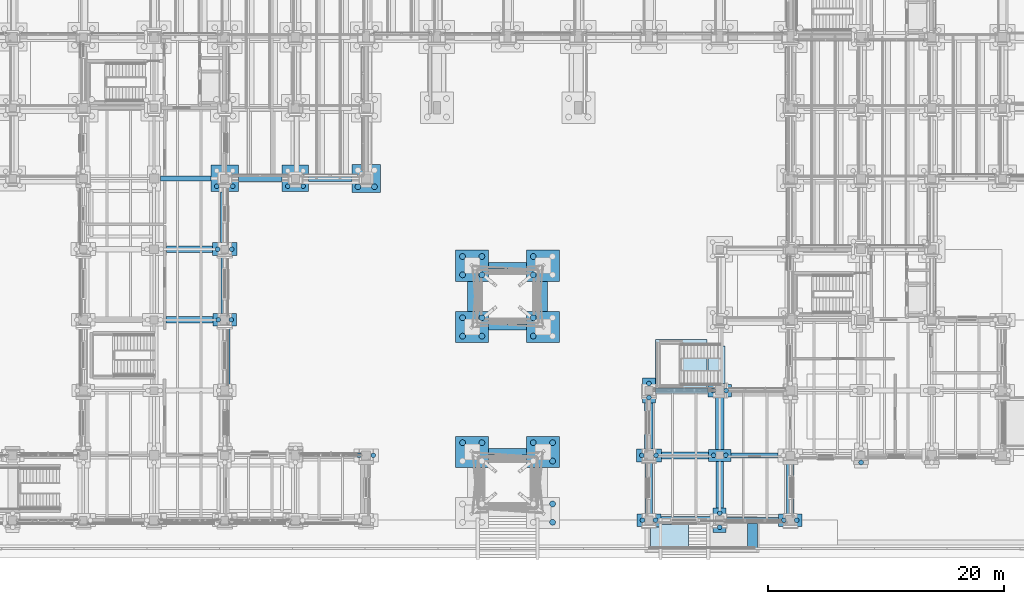
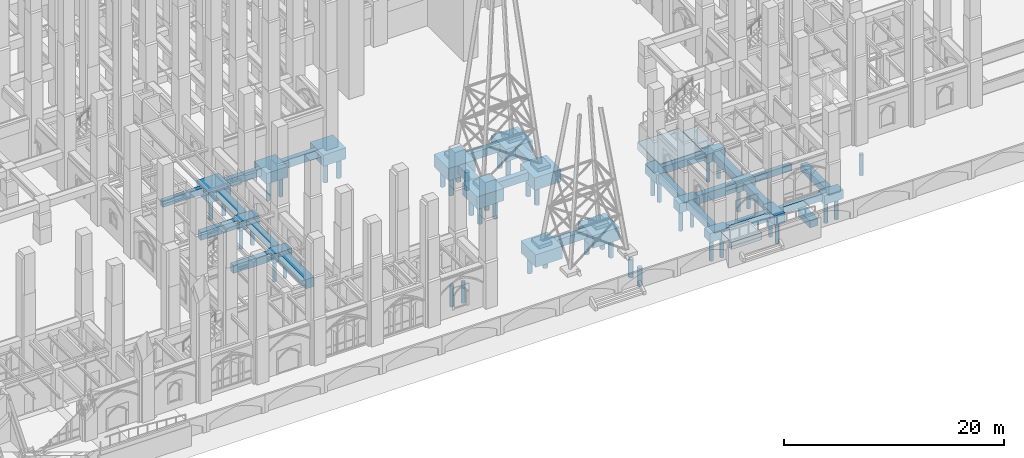
# One storey, part 7 of 135: 46 piles, 45 footings.
"""IFC4 building model written with IfcOpenShell, lengths in metres."""

from ifc_helpers import new_model, si_unit, direction, frame, origin, origin_2d, place, context, subcontext, project, spatial, polyline, rectangle, circle, outline, extrude, material, material_profile, profile_set, type_object, element, save


model = new_model("IFC4")

# Units and contexts
model_context = context("Model", 3, precision=1e-05, world=origin(), true_north=direction((0.0, 1.0)))
body_context = subcontext(model_context, "Body", "Model", "MODEL_VIEW")
ifc_project = project(units=[si_unit("LENGTHUNIT", "METRE"), si_unit("AREAUNIT", "SQUARE_METRE"), si_unit("VOLUMEUNIT", "CUBIC_METRE"), si_unit("PLANEANGLEUNIT", "RADIAN"), si_unit("MASSUNIT", "GRAM", prefix="KILO")], contexts=[model_context])

# Site, building, storey
site_placement = place(None, origin())
site = spatial("IfcSite", under=ifc_project, at=site_placement, CompositionType="ELEMENT")
building_placement = place(site_placement, origin())
building = spatial("IfcBuilding", under=site, at=building_placement, Name="Cumevento Cable Car Station", CompositionType="ELEMENT")
storey_placement = place(building_placement, origin())
storey = spatial("IfcBuildingStorey", under=building, at=storey_placement, Name="L01", CompositionType="ELEMENT", Elevation=0.0)

# Footings
ifc_material_1 = material(Name="Concrete C40/50", Category="concrete")
footing_type_1 = type_object("IfcFootingType", Name="Ground Beam GB-01 420x720", PredefinedType="FOOTING_BEAM", material=ifc_material_1)
footing_1_placement = place(storey_placement, frame((0.0, 0.0, -0.719970703125)))
element("IfcFooting", 1, at=footing_1_placement, inside=storey, type_object=footing_type_1, Name="Ground Tie Beam GB-01 #12", PredefinedType="FOOTING_BEAM", context=body_context, shape_type="SweptSolid", body=[
    extrude(outline(polyline([(112.552001953125, 3.7900390625), (116.998046875, 3.7900390625), (116.998046875, 4.2099609375), (112.552001953125, 4.2099609375), (112.552001953125, 3.7900390625)])), origin(), (0.0, 0.0, 1.0), 0.719970703125),
])
footing_2_placement = place(storey_placement, frame((0.0, 0.0, -0.719970703125)))
element("IfcFooting", 2, at=footing_2_placement, inside=storey, type_object=footing_type_1, Name="Ground Tie Beam GB-01 #24", PredefinedType="FOOTING_BEAM", context=body_context, shape_type="SweptSolid", body=[
    extrude(outline(polyline([(112.951904296875, 9.2900390625), (116.947998046875, 9.2900390625), (116.947998046875, 9.7099609375), (112.951904296875, 9.7099609375), (112.951904296875, 9.2900390625)])), origin(), (0.0, 0.0, 1.0), 0.719970703125),
])
footing_3_placement = place(storey_placement, frame((0.0, 0.0, -0.719970703125)))
element("IfcFooting", 3, at=footing_3_placement, inside=storey, type_object=footing_type_1, Name="Ground Tie Beam GB-01 #60", PredefinedType="FOOTING_BEAM", context=body_context, shape_type="SweptSolid", body=[
    extrude(outline(polyline([(64.552001953125, 32.7900390625), (68.822998046875, 32.7900390625), (68.822998046875, 33.2099609375), (64.552001953125, 33.2099609375), (64.552001953125, 32.7900390625)])), origin(), (0.0, 0.0, 1.0), 0.719970703125),
])
ifc_material_2 = material(Name="Concrete C40/50", Category="concrete")
footing_type_2 = type_object("IfcFootingType", Name="Ground Beam GB-02 480x800", PredefinedType="FOOTING_BEAM", material=ifc_material_2)
footing_4_placement = place(storey_placement, frame((0.0, 0.0, -0.800048828125)))
element("IfcFooting", 4, at=footing_4_placement, inside=storey, type_object=footing_type_2, Name="Ground Tie Beam GB-02 #37", PredefinedType="FOOTING_BEAM", context=body_context, shape_type="SweptSolid", body=[
    extrude(outline(polyline([(106.552001953125, 14.760009765625), (110.998046875, 14.760009765625), (110.998046875, 15.239990234375), (106.552001953125, 15.239990234375), (106.552001953125, 14.760009765625)])), origin(), (0.0, 0.0, 1.0), 0.800048828125),
])
footing_5_placement = place(storey_placement, frame((0.0, 0.0, -0.800048828125)))
element("IfcFooting", 5, at=footing_5_placement, inside=storey, type_object=footing_type_2, Name="Ground Tie Beam GB-02 #61", PredefinedType="FOOTING_BEAM", context=body_context, shape_type="SweptSolid", body=[
    extrude(outline(polyline([(71.177001953125, 32.760009765625), (74.873046875, 32.760009765625), (74.873046875, 33.239990234375), (71.177001953125, 33.239990234375), (71.177001953125, 32.760009765625)])), origin(), (0.0, 0.0, 1.0), 0.800048828125),
])
ifc_material_3 = material(Name="Concrete C40/50", Category="concrete")
footing_type_3 = type_object("IfcFootingType", Name="Ground Beam GB-03 540x880", PredefinedType="FOOTING_BEAM", material=ifc_material_3)
footing_6_placement = place(storey_placement, frame((0.0, 0.0, -0.8798828125)))
element("IfcFooting", 6, at=footing_6_placement, inside=storey, type_object=footing_type_3, Name="Ground Tie Beam GB-03 #46", PredefinedType="FOOTING_BEAM", context=body_context, shape_type="SweptSolid", body=[
    extrude(outline(polyline([(65.001953125, 20.72998046875), (68.998046875, 20.72998046875), (68.998046875, 21.27001953125), (65.001953125, 21.27001953125), (65.001953125, 20.72998046875)])), origin(), (0.0, 0.0, 1.0), 0.8798828125),
])
footing_7_placement = place(storey_placement, frame((0.0, 0.0, -0.8798828125)))
element("IfcFooting", 7, at=footing_7_placement, inside=storey, type_object=footing_type_3, Name="Ground Tie Beam GB-03 #54", PredefinedType="FOOTING_BEAM", context=body_context, shape_type="SweptSolid", body=[
    extrude(outline(polyline([(65.052001953125, 26.72998046875), (68.947998046875, 26.72998046875), (68.947998046875, 27.27001953125), (65.052001953125, 27.27001953125), (65.052001953125, 26.72998046875)])), origin(), (0.0, 0.0, 1.0), 0.8798828125),
])
footing_8_placement = place(storey_placement, frame((0.0, 0.0, -0.8798828125)))
element("IfcFooting", 8, at=footing_8_placement, inside=storey, type_object=footing_type_3, Name="Ground Tie Beam GB-03 #62", PredefinedType="FOOTING_BEAM", context=body_context, shape_type="SweptSolid", body=[
    extrude(outline(polyline([(77.126953125, 32.72998046875), (80.798095703125, 32.72998046875), (80.798095703125, 33.27001953125), (77.126953125, 33.27001953125), (77.126953125, 32.72998046875)])), origin(), (0.0, 0.0, 1.0), 0.8798828125),
])
footing_9_placement = place(storey_placement, frame((0.0, 0.0, -0.8798828125)))
element("IfcFooting", 9, at=footing_9_placement, inside=storey, type_object=footing_type_3, Name="PYLON_S01 Tie Beam GB-03 #5", PredefinedType="FOOTING_BEAM", context=body_context, shape_type="SweptSolid", body=[
    extrude(outline(polyline([(92.402099609375, 20.1298828125), (95.597900390625, 20.1298828125), (95.597900390625, 20.669921875), (92.402099609375, 20.669921875), (92.402099609375, 20.1298828125)])), origin(), (0.0, 0.0, 1.0), 0.8798828125),
])
footing_10_placement = place(storey_placement, frame((0.0, 0.0, -0.8798828125)))
element("IfcFooting", 10, at=footing_10_placement, inside=storey, type_object=footing_type_3, Name="PYLON_S01 Tie Beam GB-03 #6", PredefinedType="FOOTING_BEAM", context=body_context, shape_type="SweptSolid", body=[
    extrude(outline(polyline([(92.402099609375, 25.330078125), (95.597900390625, 25.330078125), (95.597900390625, 25.8701171875), (92.402099609375, 25.8701171875), (92.402099609375, 25.330078125)])), origin(), (0.0, 0.0, 1.0), 0.8798828125),
])
footing_11_placement = place(storey_placement, frame((0.0, 0.0, -0.8798828125)))
element("IfcFooting", 11, at=footing_11_placement, inside=storey, type_object=footing_type_3, Name="PYLON_S02 Tie Beam GB-03 #10", PredefinedType="FOOTING_BEAM", context=body_context, shape_type="SweptSolid", body=[
    extrude(outline(polyline([(92.402099609375, 9.530029296875), (95.597900390625, 9.530029296875), (95.597900390625, 10.070068359375), (92.402099609375, 10.070068359375), (92.402099609375, 9.530029296875)])), origin(), (0.0, 0.0, 1.0), 0.8798828125),
])
ifc_material_4 = material(Name="Concrete C40/50", Category="concrete")
footing_type_4 = type_object("IfcFootingType", Name="Ground Beam GB-04 600x960", PredefinedType="FOOTING_BEAM", material=ifc_material_4)
footing_12_placement = place(storey_placement, frame((0.0, 0.0, -0.9599609375)))
element("IfcFooting", 12, at=footing_12_placement, inside=storey, type_object=footing_type_4, Name="Ground Tie Beam GB-04 #11", PredefinedType="FOOTING_BEAM", context=body_context, shape_type="SweptSolid", body=[
    extrude(outline(polyline([(107.001953125, 3.699951171875), (111.447998046875, 3.699951171875), (111.447998046875, 4.300048828125), (107.001953125, 4.300048828125), (107.001953125, 3.699951171875)])), origin(), (0.0, 0.0, 1.0), 0.9599609375),
])
footing_13_placement = place(storey_placement, frame((0.0, 0.0, -0.9599609375)))
element("IfcFooting", 13, at=footing_13_placement, inside=storey, type_object=footing_type_4, Name="Ground Tie Beam GB-04 #23", PredefinedType="FOOTING_BEAM", context=body_context, shape_type="SweptSolid", body=[
    extrude(outline(polyline([(107.052001953125, 9.199951171875), (111.048095703125, 9.199951171875), (111.048095703125, 9.800048828125), (107.052001953125, 9.800048828125), (107.052001953125, 9.199951171875)])), origin(), (0.0, 0.0, 1.0), 0.9599609375),
])

# Piles
ifc_material_5 = material(Name="Concrete C40/50", Category="concrete")
ifc_material_profile_1 = material_profile(ifc_material_5, circle(Radius=0.199951171875, at=origin_2d()), Name="PILE-D400")
ifc_profile_set_1 = profile_set([ifc_material_profile_1], Name="Concrete C40/50")
pile_type_1 = type_object("IfcPileType", Name="PILE-BORED-400", PredefinedType="BORED", material=ifc_profile_set_1)
for number, where, z_axis, x_axis, name in (
    (14, (69.449951171875, 21.0, -1.0), (0.0, 0.0, -1.0), (1.0, 0.0, 0.0), "Bored Pile PL-400 #281"),
    (15, (70.550048828125, 21.0, -1.0), (0.0, 0.0, -1.0), (1.0, 0.0, 0.0), "Bored Pile PL-400 #282"),
):
    element("IfcPile", number, at=place(storey_placement, frame(where, z_axis=z_axis, x_axis=x_axis)), inside=storey, type_object=pile_type_1, Name=name, PredefinedType="BORED", context=body_context, shape_type="SweptSolid", body=[
        extrude(circle(Radius=0.199951171875, at=origin_2d()), origin(), (0.0, 0.0, 1.0), 2.39990234375),
    ])
for number, where, z_axis, x_axis, name in (
    (16, (69.39990234375, 27.0, -1.050048828125), (0.0, 0.0, -1.0), (1.0, 0.0, 0.0), "Bored Pile PL-400 #283"),
    (17, (70.60009765625, 27.0, -1.050048828125), (0.0, 0.0, -1.0), (1.0, 0.0, 0.0), "Bored Pile PL-400 #284"),
):
    element("IfcPile", number, at=place(storey_placement, frame(where, z_axis=z_axis, x_axis=x_axis)), inside=storey, type_object=pile_type_1, Name=name, PredefinedType="BORED", context=body_context, shape_type="SweptSolid", body=[
        extrude(circle(Radius=0.199951171875, at=origin_2d()), origin(), (0.0, 0.0, 1.0), 2.35009765625),
    ])
for number, where, z_axis, x_axis, name in (
    (18, (69.320068359375, 32.35009765625, -1.219970703125), (0.0, 0.0, -1.0), (1.0, 0.0, 0.0), "Bored Pile PL-400 #285"),
    (19, (70.679931640625, 32.35009765625, -1.219970703125), (0.0, 0.0, -1.0), (1.0, 0.0, 0.0), "Bored Pile PL-400 #286"),
):
    element("IfcPile", number, at=place(storey_placement, frame(where, z_axis=z_axis, x_axis=x_axis)), inside=storey, type_object=pile_type_1, Name=name, PredefinedType="BORED", context=body_context, shape_type="SweptSolid", body=[
        extrude(circle(Radius=0.199951171875, at=origin_2d()), origin(), (0.0, 0.0, 1.0), 2.179931640625),
    ])
for number, where, z_axis, x_axis, name in (
    (20, (75.35009765625, 32.35009765625, -1.199951171875), (0.0, 0.0, -1.0), (1.0, 0.0, 0.0), "Bored Pile PL-400 #317"),
    (21, (76.64990234375, 32.35009765625, -1.199951171875), (0.0, 0.0, -1.0), (1.0, 0.0, 0.0), "Bored Pile PL-400 #318"),
):
    element("IfcPile", number, at=place(storey_placement, frame(where, z_axis=z_axis, x_axis=x_axis)), inside=storey, type_object=pile_type_1, Name=name, PredefinedType="BORED", context=body_context, shape_type="SweptSolid", body=[
        extrude(circle(Radius=0.199951171875, at=origin_2d()), origin(), (0.0, 0.0, 1.0), 2.199951171875),
    ])
for number, where, z_axis, x_axis, name in (
    (22, (81.39990234375, 9.5, -1.050048828125), (0.0, 0.0, -1.0), (1.0, 0.0, 0.0), "Bored Pile PL-400 #339"),
    (23, (82.60009765625, 9.5, -1.050048828125), (0.0, 0.0, -1.0), (1.0, 0.0, 0.0), "Bored Pile PL-400 #340"),
):
    element("IfcPile", number, at=place(storey_placement, frame(where, z_axis=z_axis, x_axis=x_axis)), inside=storey, type_object=pile_type_1, Name=name, PredefinedType="BORED", context=body_context, shape_type="SweptSolid", body=[
        extrude(circle(Radius=0.199951171875, at=origin_2d()), origin(), (0.0, 0.0, 1.0), 2.35009765625),
    ])
for number, where, z_axis, x_axis, name in (
    (24, (105.449951171875, 4.0, -1.0), (0.0, 0.0, -1.0), (1.0, 0.0, 0.0), "Bored Pile PL-400 #397"),
    (25, (106.550048828125, 4.0, -1.0), (0.0, 0.0, -1.0), (1.0, 0.0, 0.0), "Bored Pile PL-400 #398"),
):
    element("IfcPile", number, at=place(storey_placement, frame(where, z_axis=z_axis, x_axis=x_axis)), inside=storey, type_object=pile_type_1, Name=name, PredefinedType="BORED", context=body_context, shape_type="SweptSolid", body=[
        extrude(circle(Radius=0.199951171875, at=origin_2d()), origin(), (0.0, 0.0, 1.0), 2.39990234375),
    ])
for number, where, z_axis, x_axis, name in (
    (26, (105.39990234375, 9.5, -1.050048828125), (0.0, 0.0, -1.0), (1.0, 0.0, 0.0), "Bored Pile PL-400 #399"),
    (27, (106.60009765625, 9.5, -1.050048828125), (0.0, 0.0, -1.0), (1.0, 0.0, 0.0), "Bored Pile PL-400 #400"),
    (28, (106.0, 14.39990234375, -1.050048828125), (0.0, 0.0, -1.0), (1.0, 0.0, 0.0), "Bored Pile PL-400 #401"),
    (29, (106.0, 15.60009765625, -1.050048828125), (0.0, 0.0, -1.0), (1.0, 0.0, 0.0), "Bored Pile PL-400 #402"),
    (30, (112.0, 3.39990234375, -1.050048828125), (0.0, 0.0, -1.0), (1.0, 0.0, 0.0), "Bored Pile PL-400 #415"),
    (31, (112.0, 4.60009765625, -1.050048828125), (0.0, 0.0, -1.0), (1.0, 0.0, 0.0), "Bored Pile PL-400 #416"),
):
    element("IfcPile", number, at=place(storey_placement, frame(where, z_axis=z_axis, x_axis=x_axis)), inside=storey, type_object=pile_type_1, Name=name, PredefinedType="BORED", context=body_context, shape_type="SweptSolid", body=[
        extrude(circle(Radius=0.199951171875, at=origin_2d()), origin(), (0.0, 0.0, 1.0), 2.35009765625),
    ])
for number, where, z_axis, x_axis, name in (
    (32, (111.47998046875, 9.5, -0.949951171875), (0.0, 0.0, -1.0), (1.0, 0.0, 0.0), "Bored Pile PL-400 #417"),
    (33, (112.52001953125, 9.5, -0.949951171875), (0.0, 0.0, -1.0), (1.0, 0.0, 0.0), "Bored Pile PL-400 #418"),
):
    element("IfcPile", number, at=place(storey_placement, frame(where, z_axis=z_axis, x_axis=x_axis)), inside=storey, type_object=pile_type_1, Name=name, PredefinedType="BORED", context=body_context, shape_type="SweptSolid", body=[
        extrude(circle(Radius=0.199951171875, at=origin_2d()), origin(), (0.0, 0.0, 1.0), 2.449951171875),
    ])
for number, where, z_axis, x_axis, name in (
    (34, (111.449951171875, 15.0, -1.0), (0.0, 0.0, -1.0), (1.0, 0.0, 0.0), "Bored Pile PL-400 #419"),
    (35, (112.550048828125, 15.0, -1.0), (0.0, 0.0, -1.0), (1.0, 0.0, 0.0), "Bored Pile PL-400 #420"),
    (36, (117.449951171875, 4.0, -1.0), (0.0, 0.0, -1.0), (1.0, 0.0, 0.0), "Bored Pile PL-400 #433"),
    (37, (118.550048828125, 4.0, -1.0), (0.0, 0.0, -1.0), (1.0, 0.0, 0.0), "Bored Pile PL-400 #434"),
):
    element("IfcPile", number, at=place(storey_placement, frame(where, z_axis=z_axis, x_axis=x_axis)), inside=storey, type_object=pile_type_1, Name=name, PredefinedType="BORED", context=body_context, shape_type="SweptSolid", body=[
        extrude(circle(Radius=0.199951171875, at=origin_2d()), origin(), (0.0, 0.0, 1.0), 2.39990234375),
    ])
pile_placement = place(storey_placement, frame((124.0, 8.89990234375, -1.050048828125), z_axis=(0.0, 0.0, -1.0), x_axis=(1.0, 0.0, 0.0)))
element("IfcPile", 38, at=pile_placement, inside=storey, type_object=pile_type_1, Name="Bored Pile PL-400 #467", PredefinedType="BORED", context=body_context, shape_type="SweptSolid", body=[
    extrude(circle(Radius=0.199951171875, at=origin_2d()), origin(), (0.0, 0.0, 1.0), 2.35009765625),
])
ifc_material_6 = material(Name="Concrete C40/50", Category="concrete")
ifc_material_profile_2 = material_profile(ifc_material_6, circle(Radius=0.25, at=origin_2d()), Name="PILE-D500")
ifc_profile_set_2 = profile_set([ifc_material_profile_2], Name="Concrete C40/50")
pile_type_2 = type_object("IfcPileType", Name="PILE-BORED-500", PredefinedType="BORED", material=ifc_profile_set_2)
for number, where, z_axis, x_axis, name in (
    (39, (81.300048828125, 32.300048828125, -1.25), (0.0, 0.0, -1.0), (1.0, 0.0, 0.0), "Bored Pile PL-500 #341"),
    (40, (82.699951171875, 32.300048828125, -1.25), (0.0, 0.0, -1.0), (1.0, 0.0, 0.0), "Bored Pile PL-500 #342"),
):
    element("IfcPile", number, at=place(storey_placement, frame(where, z_axis=z_axis, x_axis=x_axis)), inside=storey, type_object=pile_type_2, Name=name, PredefinedType="BORED", context=body_context, shape_type="SweptSolid", body=[
        extrude(circle(Radius=0.25, at=origin_2d()), origin(), (0.0, 0.0, 1.0), 2.14990234375),
    ])
for number, where, z_axis, x_axis, name in (
    (41, (90.179931640625, 19.6201171875, -1.3798828125), (0.0, 0.0, -1.0), (1.0, 0.0, 0.0), "Bored Pile PL-500 Ext #65"),
    (42, (91.820068359375, 19.6201171875, -1.3798828125), (0.0, 0.0, -1.0), (1.0, 0.0, 0.0), "Bored Pile PL-500 Ext #66"),
    (43, (90.179931640625, 21.179931640625, -1.3798828125), (0.0, 0.0, -1.0), (1.0, 0.0, 0.0), "Bored Pile PL-500 Ext #67"),
    (44, (91.820068359375, 21.179931640625, -1.3798828125), (0.0, 0.0, -1.0), (1.0, 0.0, 0.0), "Bored Pile PL-500 Ext #68"),
    (45, (90.179931640625, 24.820068359375, -1.3798828125), (0.0, 0.0, -1.0), (1.0, 0.0, 0.0), "Bored Pile PL-500 Ext #69"),
    (46, (91.820068359375, 24.820068359375, -1.3798828125), (0.0, 0.0, -1.0), (1.0, 0.0, 0.0), "Bored Pile PL-500 Ext #70"),
    (47, (90.179931640625, 26.3798828125, -1.3798828125), (0.0, 0.0, -1.0), (1.0, 0.0, 0.0), "Bored Pile PL-500 Ext #71"),
    (48, (91.820068359375, 26.3798828125, -1.3798828125), (0.0, 0.0, -1.0), (1.0, 0.0, 0.0), "Bored Pile PL-500 Ext #72"),
    (49, (96.179931640625, 19.6201171875, -1.3798828125), (0.0, 0.0, -1.0), (1.0, 0.0, 0.0), "Bored Pile PL-500 Ext #73"),
    (50, (96.179931640625, 21.179931640625, -1.3798828125), (0.0, 0.0, -1.0), (1.0, 0.0, 0.0), "Bored Pile PL-500 Ext #75"),
    (51, (96.179931640625, 24.820068359375, -1.3798828125), (0.0, 0.0, -1.0), (1.0, 0.0, 0.0), "Bored Pile PL-500 Ext #77"),
    (52, (96.179931640625, 26.3798828125, -1.3798828125), (0.0, 0.0, -1.0), (1.0, 0.0, 0.0), "Bored Pile PL-500 Ext #79"),
    (53, (90.179931640625, 10.580078125, -1.3798828125), (0.0, 0.0, -1.0), (1.0, 0.0, 0.0), "Bored Pile PL-500 Ext #87"),
    (54, (91.820068359375, 10.580078125, -1.3798828125), (0.0, 0.0, -1.0), (1.0, 0.0, 0.0), "Bored Pile PL-500 Ext #88"),
    (55, (97.820068359375, 3.820068359375, -1.3798828125), (0.0, 0.0, -1.0), (1.0, 0.0, 0.0), "Bored Pile PL-500 Ext #90"),
    (56, (97.820068359375, 5.3798828125, -1.3798828125), (0.0, 0.0, -1.0), (1.0, 0.0, 0.0), "Bored Pile PL-500 Ext #92"),
    (57, (97.820068359375, 9.02001953125, -1.3798828125), (0.0, 0.0, -1.0), (1.0, 0.0, 0.0), "Bored Pile PL-500 Ext #94"),
    (58, (96.179931640625, 10.580078125, -1.3798828125), (0.0, 0.0, -1.0), (1.0, 0.0, 0.0), "Bored Pile PL-500 Ext #95"),
    (59, (97.820068359375, 10.580078125, -1.3798828125), (0.0, 0.0, -1.0), (1.0, 0.0, 0.0), "Bored Pile PL-500 Ext #96"),
):
    element("IfcPile", number, at=place(storey_placement, frame(where, z_axis=z_axis, x_axis=x_axis)), inside=storey, type_object=pile_type_2, Name=name, PredefinedType="BORED", context=body_context, shape_type="SweptSolid", body=[
        extrude(circle(Radius=0.25, at=origin_2d()), origin(), (0.0, 0.0, 1.0), 2.02001953125),
    ])

# Footings
ifc_material_7 = material(Name="Concrete C40/50", Category="concrete")
footing_type_5 = type_object("IfcFootingType", Name="Pile Cap PC-01 1900x1000x950", PredefinedType="PILE_CAP", material=ifc_material_7)
footing_14_placement = place(storey_placement, frame((112.0, 9.5, -0.9501953125), z_axis=(0.0, 0.0, 1.0), x_axis=(1.0, 0.0, 0.0)))
element("IfcFooting", 60, at=footing_14_placement, inside=storey, type_object=footing_type_5, Name="Pile Cap PC-01 at (112.0,9.5)", PredefinedType="PILE_CAP", context=body_context, shape_type="SweptSolid", body=[
    extrude(rectangle(XDim=1.89990234375, YDim=1.0, at=origin_2d()), origin(), (0.0, 0.0, 1.0), 0.949951171875),
])
ifc_material_8 = material(Name="Concrete C40/50", Category="concrete")
footing_type_6 = type_object("IfcFootingType", Name="Pile Cap PC-02 2000x1050x1000", PredefinedType="PILE_CAP", material=ifc_material_8)
for number, where, z_axis, x_axis, name in (
    (61, (70.0, 21.0, -1.0), (0.0, 0.0, 1.0), (1.0, 0.0, 0.0), "Pile Cap PC-02 at (70.0,21.0)"),
    (62, (106.0, 4.0, -1.0), (0.0, 0.0, 1.0), (1.0, 0.0, 0.0), "Pile Cap PC-02 at (106.0,4.0)"),
    (63, (112.0, 15.0, -1.0), (0.0, 0.0, 1.0), (1.0, 0.0, 0.0), "Pile Cap PC-02 at (112.0,15.0)"),
    (64, (118.0, 4.0, -1.0), (0.0, 0.0, 1.0), (1.0, 0.0, 0.0), "Pile Cap PC-02 at (118.0,4.0)"),
):
    element("IfcFooting", number, at=place(storey_placement, frame(where, z_axis=z_axis, x_axis=x_axis)), inside=storey, type_object=footing_type_6, Name=name, PredefinedType="PILE_CAP", context=body_context, shape_type="SweptSolid", body=[
        extrude(rectangle(XDim=2.0, YDim=1.050048828125, at=origin_2d()), origin(), (0.0, 0.0, 1.0), 1.0),
    ])
ifc_material_9 = material(Name="Concrete C40/50", Category="concrete")
footing_type_7 = type_object("IfcFootingType", Name="Pile Cap PC-03 2100x1100x1050", PredefinedType="PILE_CAP", material=ifc_material_9)
for number, where, z_axis, x_axis, name in (
    (65, (70.0, 27.0, -1.0498046875), (0.0, 0.0, 1.0), (1.0, 0.0, 0.0), "Pile Cap PC-03 at (70.0,27.0)"),
    (66, (106.0, 9.5, -1.0498046875), (0.0, 0.0, 1.0), (1.0, 0.0, 0.0), "Pile Cap PC-03 at (106.0,9.5)"),
):
    element("IfcFooting", number, at=place(storey_placement, frame(where, z_axis=z_axis, x_axis=x_axis)), inside=storey, type_object=footing_type_7, Name=name, PredefinedType="PILE_CAP", context=body_context, shape_type="SweptSolid", body=[
        extrude(rectangle(XDim=2.10009765625, YDim=1.10009765625, at=origin_2d()), origin(), (0.0, 0.0, 1.0), 1.050048828125),
    ])
ifc_material_10 = material(Name="Concrete C40/50", Category="concrete")
footing_type_8 = type_object("IfcFootingType", Name="Pile Cap PC-04 1100x2100x1050", PredefinedType="PILE_CAP", material=ifc_material_10)
for number, where, z_axis, x_axis, name in (
    (67, (106.0, 15.0, -1.0498046875), (0.0, 0.0, 1.0), (1.0, 0.0, 0.0), "Pile Cap PC-04 at (106.0,15.0)"),
    (68, (112.0, 4.0, -1.0498046875), (0.0, 0.0, 1.0), (1.0, 0.0, 0.0), "Pile Cap PC-04 at (112.0,4.0)"),
):
    element("IfcFooting", number, at=place(storey_placement, frame(where, z_axis=z_axis, x_axis=x_axis)), inside=storey, type_object=footing_type_8, Name=name, PredefinedType="PILE_CAP", context=body_context, shape_type="SweptSolid", body=[
        extrude(rectangle(XDim=1.10009765625, YDim=2.10009765625, at=origin_2d()), origin(), (0.0, 0.0, 1.0), 1.050048828125),
    ])
ifc_material_11 = material(Name="Concrete C40/50", Category="concrete")
footing_type_9 = type_object("IfcFootingType", Name="Pile Cap PC-07 2250x2250x1200", PredefinedType="PILE_CAP", material=ifc_material_11)
footing_15_placement = place(storey_placement, frame((76.0, 33.0, -1.2001953125), z_axis=(0.0, 0.0, 1.0), x_axis=(1.0, 0.0, 0.0)))
element("IfcFooting", 69, at=footing_15_placement, inside=storey, type_object=footing_type_9, Name="Pile Cap PC-07 at (76.0,33.0)", PredefinedType="PILE_CAP", context=body_context, shape_type="SweptSolid", body=[
    extrude(rectangle(XDim=2.25, YDim=2.25, at=origin_2d()), origin(), (0.0, 0.0, 1.0), 1.199951171875),
])
ifc_material_12 = material(Name="Concrete C40/50", Category="concrete")
footing_type_10 = type_object("IfcFootingType", Name="Pile Cap PC-08 2350x2250x1220", PredefinedType="PILE_CAP", material=ifc_material_12)
footing_16_placement = place(storey_placement, frame((70.0, 33.0, -1.22021484375), z_axis=(0.0, 0.0, 1.0), x_axis=(1.0, 0.0, 0.0)))
element("IfcFooting", 70, at=footing_16_placement, inside=storey, type_object=footing_type_10, Name="Pile Cap PC-08 at (70.0,33.0)", PredefinedType="PILE_CAP", context=body_context, shape_type="SweptSolid", body=[
    extrude(rectangle(XDim=2.35009765625, YDim=2.25, at=origin_2d()), origin(), (0.0, 0.0, 1.0), 1.219970703125),
])
ifc_material_13 = material(Name="Concrete C40/50", Category="concrete")
footing_type_11 = type_object("IfcFootingType", Name="Pile Cap PC-09 2400x2400x1250", PredefinedType="PILE_CAP", material=ifc_material_13)
footing_17_placement = place(storey_placement, frame((82.0, 33.0, -1.25), z_axis=(0.0, 0.0, 1.0), x_axis=(1.0, 0.0, 0.0)))
element("IfcFooting", 71, at=footing_17_placement, inside=storey, type_object=footing_type_11, Name="Pile Cap PC-09 at (82.0,33.0)", PredefinedType="PILE_CAP", context=body_context, shape_type="SweptSolid", body=[
    extrude(rectangle(XDim=2.39990234375, YDim=2.39990234375, at=origin_2d()), origin(), (0.0, 0.0, 1.0), 1.25),
])
ifc_material_14 = material(Name="Concrete C40/50", Category="concrete")
footing_type_12 = type_object("IfcFootingType", Name="Pile Cap PC-13 2800x2650x1380", PredefinedType="PILE_CAP", material=ifc_material_14)
for number, where, z_axis, x_axis, name in (
    (72, (91.0, 20.39990234375, -1.3798828125), (0.0, 0.0, 1.0), (1.0, 0.0, 0.0), "Pile Cap PC-13 at (91.0,20.4)"),
    (73, (91.0, 25.60009765625, -1.3798828125), (0.0, 0.0, 1.0), (1.0, 0.0, 0.0), "Pile Cap PC-13 at (91.0,25.6)"),
    (74, (97.0, 20.39990234375, -1.3798828125), (0.0, 0.0, 1.0), (1.0, 0.0, 0.0), "Pile Cap PC-13 at (97.0,20.4)"),
    (75, (97.0, 25.60009765625, -1.3798828125), (0.0, 0.0, 1.0), (1.0, 0.0, 0.0), "Pile Cap PC-13 at (97.0,25.6)"),
    (76, (91.0, 9.800048828125, -1.3798828125), (0.0, 0.0, 1.0), (1.0, 0.0, 0.0), "Pile Cap PC-13 at (91.0,9.8)"),
    (77, (97.0, 9.800048828125, -1.3798828125), (0.0, 0.0, 1.0), (1.0, 0.0, 0.0), "Pile Cap PC-13 at (97.0,9.8)"),
):
    element("IfcFooting", number, at=place(storey_placement, frame(where, z_axis=z_axis, x_axis=x_axis)), inside=storey, type_object=footing_type_12, Name=name, PredefinedType="PILE_CAP", context=body_context, shape_type="SweptSolid", body=[
        extrude(rectangle(XDim=2.800048828125, YDim=2.64990234375, at=origin_2d()), origin(), (0.0, 0.0, 1.0), 1.3798828125),
    ])
ifc_material_15 = material(Name="Concrete C40/50", Category="concrete")
footing_type_13 = type_object("IfcFootingType", Name="Strip Footing SF-01 640x780", PredefinedType="STRIP_FOOTING", material=ifc_material_15)
footing_18_placement = place(storey_placement, frame((0.0, 0.0, -0.780029296875)))
element("IfcFooting", 78, at=footing_18_placement, inside=storey, type_object=footing_type_13, Name="Strip Footing SF-01 #232", PredefinedType="STRIP_FOOTING", context=body_context, shape_type="SweptSolid", body=[
    extrude(outline(polyline([(69.679931640625, 21.527099609375), (70.320068359375, 21.527099609375), (70.320068359375, 26.447998046875), (69.679931640625, 26.447998046875), (69.679931640625, 21.527099609375)])), origin(), (0.0, 0.0, 1.0), 0.780029296875),
])
footing_19_placement = place(storey_placement, frame((0.0, 0.0, -0.780029296875)))
element("IfcFooting", 79, at=footing_19_placement, inside=storey, type_object=footing_type_13, Name="Strip Footing SF-01 #256", PredefinedType="STRIP_FOOTING", context=body_context, shape_type="SweptSolid", body=[
    extrude(outline(polyline([(105.679931640625, 4.527099609375), (106.320068359375, 4.527099609375), (106.320068359375, 8.947998046875), (105.679931640625, 8.947998046875), (105.679931640625, 4.527099609375)])), origin(), (0.0, 0.0, 1.0), 0.780029296875),
])
footing_20_placement = place(storey_placement, frame((0.0, 0.0, -0.780029296875)))
element("IfcFooting", 80, at=footing_20_placement, inside=storey, type_object=footing_type_13, Name="Strip Footing SF-01 #260", PredefinedType="STRIP_FOOTING", context=body_context, shape_type="SweptSolid", body=[
    extrude(outline(polyline([(111.679931640625, 5.052001953125), (112.320068359375, 5.052001953125), (112.320068359375, 8.998046875), (111.679931640625, 8.998046875), (111.679931640625, 5.052001953125)])), origin(), (0.0, 0.0, 1.0), 0.780029296875),
])
footing_21_placement = place(storey_placement, frame((0.0, 0.0, -0.780029296875)))
element("IfcFooting", 81, at=footing_21_placement, inside=storey, type_object=footing_type_13, Name="Strip Footing SF-01 #264", PredefinedType="STRIP_FOOTING", context=body_context, shape_type="SweptSolid", body=[
    extrude(outline(polyline([(117.679931640625, 4.527099609375), (118.320068359375, 4.527099609375), (118.320068359375, 8.947998046875), (117.679931640625, 8.947998046875), (117.679931640625, 4.527099609375)])), origin(), (0.0, 0.0, 1.0), 0.780029296875),
])
footing_22_placement = place(storey_placement, frame((0.0, 0.0, -1.449951171875)))
element("IfcFooting", 82, at=footing_22_placement, inside=storey, type_object=footing_type_13, Name="Ramp Toe Strip Footing RP-03", PredefinedType="STRIP_FOOTING", context=body_context, shape_type="SweptSolid", body=[
    extrude(outline(polyline([(115.199951171875, 1.5), (114.360107421875, 1.5), (114.360107421875, 3.72509765625), (115.199951171875, 3.72509765625), (115.199951171875, 1.5)])), origin(), (0.0, 0.0, 1.0), 0.780029296875),
])
footing_23_placement = place(storey_placement, frame((0.0, 0.0, -1.0)))
element("IfcFooting", 83, at=footing_23_placement, inside=storey, type_object=footing_type_13, Name="Ramp Landing Strip Footing RP-03", PredefinedType="STRIP_FOOTING", context=body_context, shape_type="SweptSolid", body=[
    extrude(outline(polyline([(109.35009765625, 1.550048828125), (106.14990234375, 1.550048828125), (106.14990234375, 3.409912109375), (107.06494140625, 3.409912109375), (107.06494140625, 3.635009765625), (109.35009765625, 3.635009765625), (109.35009765625, 1.550048828125)])), origin(), (0.0, 0.0, 1.0), 0.780029296875),
])
ifc_material_16 = material(Name="Concrete C40/50", Category="concrete")
footing_type_14 = type_object("IfcFootingType", Name="Strip Footing SF-02 720x860", PredefinedType="STRIP_FOOTING", material=ifc_material_16)
footing_24_placement = place(storey_placement, frame((0.0, 0.0, -0.860107421875)))
element("IfcFooting", 84, at=footing_24_placement, inside=storey, type_object=footing_type_14, Name="Strip Footing SF-02 #233", PredefinedType="STRIP_FOOTING", context=body_context, shape_type="SweptSolid", body=[
    extrude(outline(polyline([(69.639892578125, 27.552001953125), (70.360107421875, 27.552001953125), (70.360107421875, 31.873046875), (69.639892578125, 31.873046875), (69.639892578125, 27.552001953125)])), origin(), (0.0, 0.0, 1.0), 0.860107421875),
])
footing_25_placement = place(storey_placement, frame((0.0, 0.0, -0.860107421875)))
element("IfcFooting", 85, at=footing_25_placement, inside=storey, type_object=footing_type_14, Name="Strip Footing SF-02 #257", PredefinedType="STRIP_FOOTING", context=body_context, shape_type="SweptSolid", body=[
    extrude(outline(polyline([(105.639892578125, 10.052001953125), (106.360107421875, 10.052001953125), (106.360107421875, 13.947998046875), (105.639892578125, 13.947998046875), (105.639892578125, 10.052001953125)])), origin(), (0.0, 0.0, 1.0), 0.860107421875),
])
footing_26_placement = place(storey_placement, frame((0.0, 0.0, -0.860107421875)))
element("IfcFooting", 86, at=footing_26_placement, inside=storey, type_object=footing_type_14, Name="Strip Footing SF-02 #261", PredefinedType="STRIP_FOOTING", context=body_context, shape_type="SweptSolid", body=[
    extrude(outline(polyline([(111.639892578125, 10.001953125), (112.360107421875, 10.001953125), (112.360107421875, 14.472900390625), (111.639892578125, 14.472900390625), (111.639892578125, 10.001953125)])), origin(), (0.0, 0.0, 1.0), 0.860107421875),
])
footing_27_placement = place(storey_placement, frame((0.0, 0.0, -0.860107421875)))
element("IfcFooting", 87, at=footing_27_placement, inside=storey, type_object=footing_type_14, Name="Exterior Stone Stair Foundation Raft ST-15", PredefinedType="STRIP_FOOTING", context=body_context, shape_type="SweptSolid", body=[
    extrude(outline(polyline([(106.550048828125, 19.35009765625), (110.93505859375, 19.35009765625), (110.93505859375, 15.264892578125), (106.574951171875, 15.264892578125), (106.574951171875, 16.074951171875), (106.550048828125, 16.074951171875), (106.550048828125, 19.35009765625)])), origin(), (0.0, 0.0, 1.0), 0.860107421875),
])
footing_28_placement = place(storey_placement, frame((0.0, 0.0, -0.860107421875)))
element("IfcFooting", 88, at=footing_28_placement, inside=storey, type_object=footing_type_14, Name="Exterior Stair Flight Toe Footing ST-15", PredefinedType="STRIP_FOOTING", context=body_context, shape_type="SweptSolid", body=[
    extrude(outline(polyline([(112.43994140625, 18.800048828125), (112.43994140625, 15.60009765625), (111.0, 15.60009765625), (111.0, 18.800048828125), (112.43994140625, 18.800048828125)])), origin(), (0.0, 0.0, 1.0), 0.860107421875),
])
ifc_material_17 = material(Name="Concrete C40/50", Category="concrete")
footing_type_15 = type_object("IfcFootingType", Name="Strip Footing SF-03 800x940", PredefinedType="STRIP_FOOTING", material=ifc_material_17)
footing_29_placement = place(storey_placement, frame((0.0, 0.0, -0.93994140625)))
element("IfcFooting", 89, at=footing_29_placement, inside=storey, type_object=footing_type_15, Name="PYLON_S01 Tie Footing SF-03 #7", PredefinedType="STRIP_FOOTING", context=body_context, shape_type="SweptSolid", body=[
    extrude(outline(polyline([(90.60009765625, 21.72705078125), (91.39990234375, 21.72705078125), (91.39990234375, 24.27294921875), (90.60009765625, 24.27294921875), (90.60009765625, 21.72705078125)])), origin(), (0.0, 0.0, 1.0), 0.93994140625),
])
footing_30_placement = place(storey_placement, frame((0.0, 0.0, -0.93994140625)))
element("IfcFooting", 90, at=footing_30_placement, inside=storey, type_object=footing_type_15, Name="PYLON_S01 Tie Footing SF-03 #8", PredefinedType="STRIP_FOOTING", context=body_context, shape_type="SweptSolid", body=[
    extrude(outline(polyline([(96.60009765625, 21.72705078125), (97.39990234375, 21.72705078125), (97.39990234375, 24.27294921875), (96.60009765625, 24.27294921875), (96.60009765625, 21.72705078125)])), origin(), (0.0, 0.0, 1.0), 0.93994140625),
])
ifc_material_18 = material(Name="Concrete C40/50", Category="concrete")
footing_type_16 = type_object("IfcFootingType", Name="Strip Footing SF-04 880x1020", PredefinedType="STRIP_FOOTING", material=ifc_material_18)
footing_31_placement = place(storey_placement, frame((0.0, 0.0, -1.02001953125)))
element("IfcFooting", 91, at=footing_31_placement, inside=storey, type_object=footing_type_16, Name="Strip Footing SF-04 #231", PredefinedType="STRIP_FOOTING", context=body_context, shape_type="SweptSolid", body=[
    extrude(outline(polyline([(69.56005859375, 15.501953125), (70.43994140625, 15.501953125), (70.43994140625, 20.472900390625), (69.56005859375, 20.472900390625), (69.56005859375, 15.501953125)])), origin(), (0.0, 0.0, 1.0), 1.02001953125),
])

save(model, "model.ifc")
